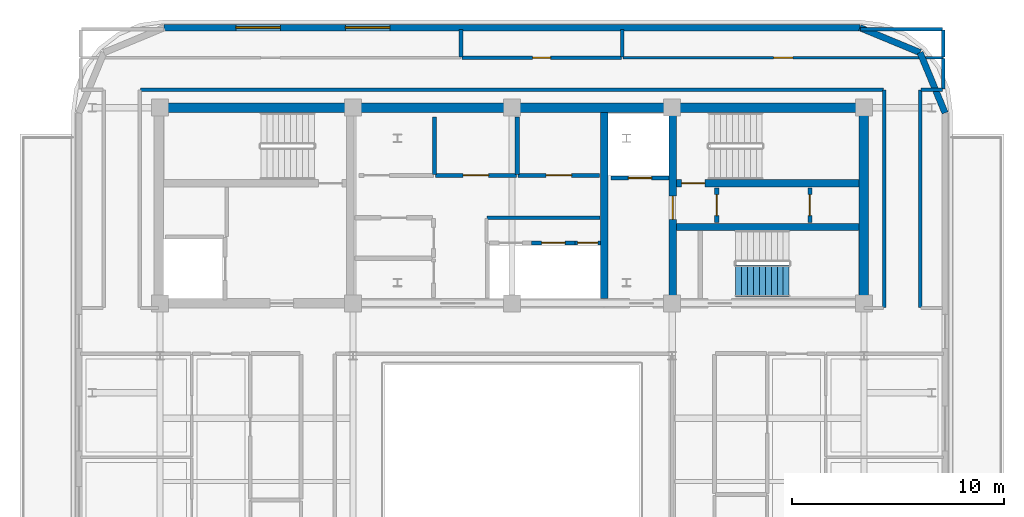
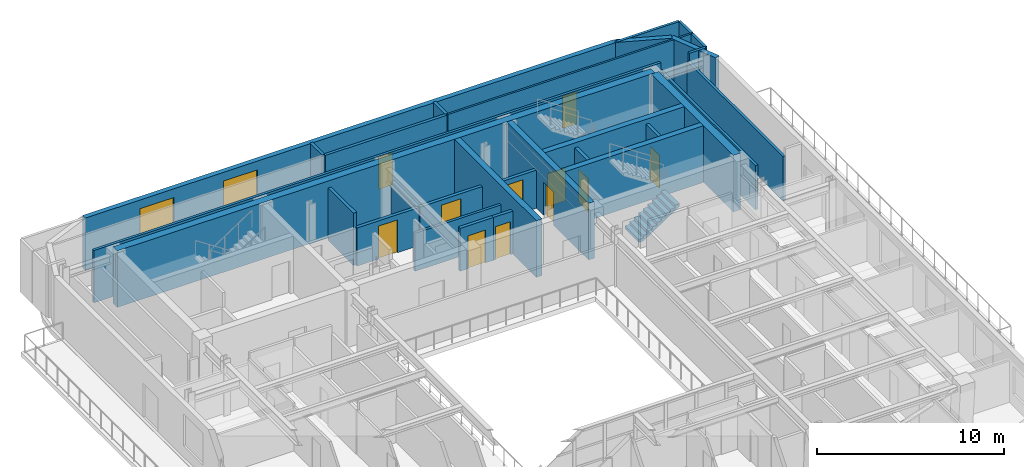
# One storey, part 10 of 14: 30 walls, 11 doors, 2 windows, 1 stair flight, 13 openings, 1 element without a shape of its own.
"""IFC4 building model written with IfcOpenShell, lengths in metres."""

from ifc_helpers import new_model, si_unit, direction, frame, frame_2d, origin, place, context, subcontext, project, spatial, polyline, rectangle, outline, extrude, material, layer, layer_set, type_object, element, fill, aggregate, save


model = new_model("IFC4")

# Units and contexts
model_context = context("Model", 3, precision=1e-05, world=origin(), true_north=direction((0.0, 1.0)))
body_context = subcontext(model_context, "Body", "Model", "MODEL_VIEW")
ifc_project = project(units=[si_unit("LENGTHUNIT", "METRE"), si_unit("AREAUNIT", "SQUARE_METRE"), si_unit("VOLUMEUNIT", "CUBIC_METRE"), si_unit("PLANEANGLEUNIT", "RADIAN"), si_unit("MASSUNIT", "GRAM", prefix="KILO")], contexts=[model_context])

# Site, building, storey
site_placement = place(None, origin())
site = spatial("IfcSite", under=ifc_project, at=site_placement, CompositionType="ELEMENT")
building_placement = place(site_placement, origin())
building = spatial("IfcBuilding", under=site, at=building_placement, Name="Zarnavel Station Tower", CompositionType="ELEMENT")
storey_placement = place(building_placement, frame((0.0, 0.0, 243.60009765625)))
storey = spatial("IfcBuildingStorey", under=building, at=storey_placement, Name="L66", CompositionType="ELEMENT", Elevation=243.60009765625)

# Wall
ifc_material_1 = material(Name="Concrete C50/60", Category="concrete")
ifc_layer_1 = layer(ifc_material_1, 0.35009765625)
ifc_layer_set_1 = layer_set([ifc_layer_1], Name="CW_350")
wall_type_1 = type_object("IfcWallType", Name="CW_350", PredefinedType="SHEAR", material=ifc_layer_set_1)
wall_1_placement = place(storey_placement, frame((33.14990234375, 28.044921875, 0.0), z_axis=(0.0, 0.0, 1.0), x_axis=(0.0, 1.0, 0.0)))
element("IfcWall", 1, at=wall_1_placement, inside=storey, type_object=wall_type_1, Name="L66 Rear Core Shear Wall DIV-E", PredefinedType="SHEAR", context=body_context, shape_type="SweptSolid", body=[
    extrude(rectangle(XDim=8.780029296875, YDim=0.35009765625, at=frame_2d((4.39013671875, 0.0))), origin(), (0.0, 0.0, 1.0), 3.699951171875),
])

# Wall, opening, door
wall_2_placement = place(storey_placement, frame((36.3798828125, 28.044921875, 0.0), z_axis=(0.0, 0.0, 1.0), x_axis=(0.0, 1.0, 0.0)))
wall_2 = element("IfcWall", 2, at=wall_2_placement, inside=storey, type_object=wall_type_1, Name="L66 Rear Core Shear Wall DIV-S2", PredefinedType="SHEAR", context=body_context, shape_type="SweptSolid", body=[
    extrude(rectangle(XDim=8.780029296875, YDim=0.35009765625, at=frame_2d((4.39013671875, 0.0))), origin(), (0.0, 0.0, 1.0), 3.699951171875),
])
opening_1_placement = place(wall_2_placement, frame((3.735107421875, 0.0, 0.0)))
opening_1 = element("IfcOpeningElement", 3, at=opening_1_placement, cuts=wall_2, Name="Opening FD01", PredefinedType="OPENING", context=body_context, shape_type="SweptSolid", body=[
    extrude(rectangle(XDim=1.10009765625, YDim=2.14990234375, at=frame_2d((0.550048828125, 1.074951171875))), frame((0.0, 0.18505859375, 0.0), z_axis=(0.0, -1.0, 0.0), x_axis=(1.0, 0.0, 0.0)), (0.0, 0.0, 1.0), 0.3701171875),
])
ifc_material_2 = material(Name="Painted Galvanised Steel and Hardwood Leaf", Category="steel")
door_type_1 = type_object("IfcDoorType", Name="ID_STAIR_1100", OperationType="NOTDEFINED", PredefinedType="DOOR", material=ifc_material_2)
door_1_placement = place(opening_1_placement, origin())
door_1 = element("IfcDoor", 4, at=door_1_placement, inside=storey, type_object=door_type_1, Name="L66 East Stair Vestibule Fire Door", OperationType="SINGLE_SWING_LEFT", OverallHeight=2.14990234375, OverallWidth=1.10009765625, PredefinedType="DOOR", context=body_context, shape_type="SweptSolid", body=[
    extrude(rectangle(XDim=1.10009765625, YDim=2.14990234375, at=frame_2d((0.550048828125, 1.074951171875))), frame((0.0, 0.02490234375, 0.0), z_axis=(0.0, -1.0, 0.0), x_axis=(1.0, 0.0, 0.0)), (0.0, 0.0, 1.0), 0.050048828125),
])
fill(opening_1, door_1)

wall_3_placement = place(storey_placement, frame((45.155029296875, 33.47998046875, 0.0), z_axis=(0.0, 0.0, 1.0), x_axis=(-1.0, 0.0, 0.0)))
wall_3 = element("IfcWall", 5, at=wall_3_placement, inside=storey, type_object=wall_type_1, Name="L66 Rear Core Shear Wall DIV-H2", PredefinedType="SHEAR", context=body_context, shape_type="SweptSolid", body=[
    extrude(rectangle(XDim=8.60009765625, YDim=0.35009765625, at=frame_2d((4.300048828125, 0.0))), origin(), (0.0, 0.0, 1.0), 3.699951171875),
])
opening_2_placement = place(wall_3_placement, frame((7.2548828125, 0.0, 0.0)))
opening_2 = element("IfcOpeningElement", 6, at=opening_2_placement, cuts=wall_3, Name="Opening FD01", PredefinedType="OPENING", context=body_context, shape_type="SweptSolid", body=[
    extrude(rectangle(XDim=1.10009765625, YDim=2.14990234375, at=frame_2d((0.550048828125, 1.074951171875))), frame((0.0, 0.18505859375, 0.0), z_axis=(0.0, -1.0, 0.0), x_axis=(1.0, 0.0, 0.0)), (0.0, 0.0, 1.0), 0.3701171875),
])
door_2_placement = place(opening_2_placement, origin())
door_2 = element("IfcDoor", 7, at=door_2_placement, inside=storey, type_object=door_type_1, Name="L66 Stair ST2 Lobby Fire Door", OperationType="SINGLE_SWING_RIGHT", OverallHeight=2.14990234375, OverallWidth=1.10009765625, PredefinedType="DOOR", context=body_context, shape_type="SweptSolid", body=[
    extrude(rectangle(XDim=1.10009765625, YDim=2.14990234375, at=frame_2d((0.550048828125, 1.074951171875))), frame((0.0, 0.02490234375, 0.0), z_axis=(0.0, -1.0, 0.0), x_axis=(1.0, 0.0, 0.0)), (0.0, 0.0, 1.0), 0.050048828125),
])
fill(opening_2, door_2)

# Walls
wall_4_placement = place(storey_placement, frame((36.554931640625, 31.419921875, 0.0), z_axis=(0.0, 0.0, 1.0), x_axis=(1.0, 0.0, 0.0)))
element("IfcWall", 8, at=wall_4_placement, inside=storey, type_object=wall_type_1, Name="L66 Rear Core Shear Wall DIV-H3", PredefinedType="SHEAR", context=body_context, shape_type="SweptSolid", body=[
    extrude(rectangle(XDim=8.60009765625, YDim=0.35009765625, at=frame_2d((4.300048828125, 0.0))), origin(), (0.0, 0.0, 1.0), 3.699951171875),
])
ifc_material_3 = material(Name="Concrete C50/60", Category="concrete")
ifc_layer_2 = layer(ifc_material_3, 0.449951171875)
ifc_layer_set_2 = layer_set([ifc_layer_2], Name="CW_450")
wall_type_2 = type_object("IfcWallType", Name="CW_450", PredefinedType="SHEAR", material=ifc_layer_set_2)
wall_5_placement = place(storey_placement, frame((12.14990234375, 37.050048828125, 0.0), z_axis=(0.0, 0.0, 1.0), x_axis=(1.0, 0.0, 0.0)))
element("IfcWall", 9, at=wall_5_placement, inside=storey, type_object=wall_type_2, Name="L66 Rear Core Shear Wall N", PredefinedType="SHEAR", context=body_context, shape_type="SweptSolid", body=[
    extrude(rectangle(XDim=33.22998046875, YDim=0.449951171875, at=frame_2d((16.614990234375, 0.0))), origin(), (0.0, 0.0, 1.0), 3.699951171875),
])
wall_6_placement = place(storey_placement, frame((45.3798828125, 28.044921875, 0.0), z_axis=(0.0, 0.0, 1.0), x_axis=(0.0, 1.0, 0.0)))
element("IfcWall", 10, at=wall_6_placement, inside=storey, type_object=wall_type_2, Name="L66 Rear Core Shear Wall E", PredefinedType="SHEAR", context=body_context, shape_type="SweptSolid", body=[
    extrude(rectangle(XDim=8.780029296875, YDim=0.449951171875, at=frame_2d((4.39013671875, 0.0))), origin(), (0.0, 0.0, 1.0), 3.699951171875),
])
ifc_material_4 = material(Name="Precast concrete C45/55 (Dark Basalt Finish)", Category="masonry")
ifc_layer_3 = layer(ifc_material_4, 0.300048828125)
ifc_layer_set_3 = layer_set([ifc_layer_3], Name="EW_BASALT_300")
wall_type_3 = type_object("IfcWallType", Name="EW_BASALT_300", PredefinedType="SOLIDWALL", material=ifc_layer_set_3)
for number, where, z_axis, x_axis, name in (
    (11, (48.04248046875, 39.642578125, 0.0), (0.0, 0.0, 1.0), (0.382704529509, -0.923870793506, 0.0), "L66 Exterior Basalt Masonry Frame Wall 04"),
    (12, (45.199951171875, 40.820068359375, 0.0), (0.0, 0.0, 1.0), (0.923870793506, -0.382704529509, 0.0), "L66 Exterior Basalt Masonry Frame Wall 05"),
):
    element("IfcWall", number, at=place(storey_placement, frame(where, z_axis=z_axis, x_axis=x_axis)), inside=storey, type_object=wall_type_3, Name=name, PredefinedType="SOLIDWALL", context=body_context, shape_type="SweptSolid", body=[
        extrude(rectangle(XDim=3.07666015625, YDim=0.300048828125, at=frame_2d((1.538330078125, 0.0))), origin(), (0.0, 0.0, 1.0), 3.419921875),
    ])

# Wall, openings, windows
wall_7_placement = place(storey_placement, frame((12.39990234375, 40.820068359375, 0.0), z_axis=(0.0, 0.0, 1.0), x_axis=(1.0, 0.0, 0.0)))
wall_7 = element("IfcWall", 13, at=wall_7_placement, inside=storey, type_object=wall_type_3, Name="L66 Exterior Basalt Masonry Frame Wall 06", PredefinedType="SOLIDWALL", context=body_context, shape_type="SweptSolid", body=[
    extrude(rectangle(XDim=32.800048828125, YDim=0.300048828125, at=frame_2d((16.39990234375, 0.0))), origin(), (0.0, 0.0, 1.0), 3.419921875),
])
opening_3_placement = place(wall_7_placement, frame((3.3798828125, 0.0, 0.75)))
opening_3 = element("IfcOpeningElement", 14, at=opening_3_placement, cuts=wall_7, Name="Opening WN05", PredefinedType="OPENING", context=body_context, shape_type="SweptSolid", body=[
    extrude(rectangle(XDim=2.10009765625, YDim=2.10009765625, at=frame_2d((1.050048828125, 1.050048828125))), frame((0.0, 0.159912109375, 0.0), z_axis=(0.0, -1.0, 0.0), x_axis=(1.0, 0.0, 0.0)), (0.0, 0.0, 1.0), 0.320068359375),
])
opening_4_placement = place(wall_7_placement, frame((8.5400390625, 0.0, 0.75)))
opening_4 = element("IfcOpeningElement", 15, at=opening_4_placement, cuts=wall_7, Name="Opening WN05", PredefinedType="OPENING", context=body_context, shape_type="SweptSolid", body=[
    extrude(rectangle(XDim=2.10009765625, YDim=2.10009765625, at=frame_2d((1.050048828125, 1.050048828125))), frame((0.0, 0.159912109375, 0.0), z_axis=(0.0, -1.0, 0.0), x_axis=(1.0, 0.0, 0.0)), (0.0, 0.0, 1.0), 0.320068359375),
])
ifc_material_5 = material(Name="Thermally Broken Black Aluminium and Low-E Dark Glass", Category="aluminium")
window_type = type_object("IfcWindowType", Name="WN_2100x2100", PartitioningType="TRIPLE_PANEL_VERTICAL", PredefinedType="WINDOW", material=ifc_material_5)
window_1_placement = place(opening_3_placement, origin())
window_1 = element("IfcWindow", 16, at=window_1_placement, inside=storey, type_object=window_type, Name="L66 Recessed Facade Window 01", OverallHeight=2.10009765625, OverallWidth=2.10009765625, PartitioningType="SINGLE_PANEL", PredefinedType="WINDOW", context=body_context, shape_type="SweptSolid", body=[
    extrude(rectangle(XDim=2.10009765625, YDim=2.10009765625, at=frame_2d((1.050048828125, 1.050048828125))), frame((0.0, 0.030029296875, 0.0), z_axis=(0.0, -1.0, 0.0), x_axis=(1.0, 0.0, 0.0)), (0.0, 0.0, 1.0), 0.06005859375),
])
fill(opening_3, window_1)
window_2_placement = place(opening_4_placement, origin())
window_2 = element("IfcWindow", 17, at=window_2_placement, inside=storey, type_object=window_type, Name="L66 Recessed Facade Window 02", OverallHeight=2.10009765625, OverallWidth=2.10009765625, PartitioningType="SINGLE_PANEL", PredefinedType="WINDOW", context=body_context, shape_type="SweptSolid", body=[
    extrude(rectangle(XDim=2.10009765625, YDim=2.10009765625, at=frame_2d((1.050048828125, 1.050048828125))), frame((0.0, 0.030029296875, 0.0), z_axis=(0.0, -1.0, 0.0), x_axis=(1.0, 0.0, 0.0)), (0.0, 0.0, 1.0), 0.06005859375),
])
fill(opening_4, window_2)

# Walls
ifc_material_6 = material(Name="Gypsum Twin-Stud Acoustic Fire Partition", Category="concrete")
ifc_layer_4 = layer(ifc_material_6, 0.159912109375)
ifc_layer_set_4 = layer_set([ifc_layer_4], Name="PT_DEMISE_160")
wall_type_4 = type_object("IfcWallType", Name="PT_DEMISE_160", PredefinedType="PARTITIONING", material=ifc_layer_set_4)
wall_8_placement = place(storey_placement, frame((27.6298828125, 31.85009765625, 0.0), z_axis=(0.0, 0.0, 1.0), x_axis=(1.0, 0.0, 0.0)))
element("IfcWall", 18, at=wall_8_placement, inside=storey, type_object=wall_type_4, Name="L66 Enclosure Wall LLOB", PredefinedType="PARTITIONING", context=body_context, shape_type="SweptSolid", body=[
    extrude(rectangle(XDim=5.31005859375, YDim=0.159912109375, at=frame_2d((2.655029296875, 0.0))), origin(), (0.0, 0.0, 1.0), 2.489990234375),
])
for number, where, z_axis, x_axis, name in (
    (19, (46.35009765625, 27.6298828125, 0.0), (0.0, 0.0, 1.0), (0.0, 1.0, 0.0), "L66 Enclosure Wall COR-E"),
    (20, (48.050048828125, 27.6298828125, 0.0), (0.0, 0.0, 1.0), (0.0, 1.0, 0.0), "L66 Enclosure Wall COR-E"),
):
    element("IfcWall", number, at=place(storey_placement, frame(where, z_axis=z_axis, x_axis=x_axis)), inside=storey, type_object=wall_type_4, Name=name, PredefinedType="PARTITIONING", context=body_context, shape_type="SweptSolid", body=[
        extrude(rectangle(XDim=10.240234375, YDim=0.159912109375, at=frame_2d((5.1201171875, 0.0))), origin(), (0.0, 0.0, 1.0), 2.89990234375),
    ])
wall_9_placement = place(storey_placement, frame((11.280029296875, 37.89990234375, 0.0), z_axis=(0.0, 0.0, 1.0), x_axis=(1.0, 0.0, 0.0)))
element("IfcWall", 21, at=wall_9_placement, inside=storey, type_object=wall_type_4, Name="L66 Enclosure Wall COR-N", PredefinedType="PARTITIONING", context=body_context, shape_type="SweptSolid", body=[
    extrude(rectangle(XDim=35.0400390625, YDim=0.159912109375, at=frame_2d((17.52001953125, 0.0))), origin(), (0.0, 0.0, 1.0), 3.419921875),
])
wall_10_placement = place(storey_placement, frame((48.080078125, 37.89990234375, 0.0), z_axis=(0.0, 0.0, 1.0), x_axis=(1.0, 0.0, 0.0)))
element("IfcWall", 22, at=wall_10_placement, inside=storey, type_object=wall_type_4, Name="L66 Enclosure Wall COR-N", PredefinedType="PARTITIONING", context=body_context, shape_type="SweptSolid", body=[
    extrude(rectangle(XDim=1.030029296875, YDim=0.159912109375, at=frame_2d((0.51513671875, 0.0))), origin(), (0.0, 0.0, 1.0), 3.419921875),
])
wall_11_placement = place(storey_placement, frame((49.139892578125, 37.929931640625, 0.0), z_axis=(0.0, 0.0, 1.0), x_axis=(0.0, 1.0, 0.0)))
element("IfcWall", 23, at=wall_11_placement, inside=storey, type_object=wall_type_4, Name="L66 Enclosure Wall COR-N", PredefinedType="PARTITIONING", context=body_context, shape_type="SweptSolid", body=[
    extrude(rectangle(XDim=1.440185546875, YDim=0.159912109375, at=frame_2d((0.72021484375, 0.0))), origin(), (0.0, 0.0, 1.0), 3.419921875),
])
wall_12_placement = place(storey_placement, frame((45.22998046875, 40.739990234375, 0.0), z_axis=(0.0, 0.0, 1.0), x_axis=(1.0, 0.0, 0.0)))
element("IfcWall", 24, at=wall_12_placement, inside=storey, type_object=wall_type_4, Name="L66 Enclosure Wall NSTR", PredefinedType="PARTITIONING", context=body_context, shape_type="SweptSolid", body=[
    extrude(rectangle(XDim=3.880126953125, YDim=0.159912109375, at=frame_2d((1.93994140625, 0.0))), origin(), (0.0, 0.0, 1.0), 3.419921875),
])
wall_13_placement = place(storey_placement, frame((49.139892578125, 39.429931640625, 0.0), z_axis=(0.0, 0.0, 1.0), x_axis=(0.0, 1.0, 0.0)))
element("IfcWall", 25, at=wall_13_placement, inside=storey, type_object=wall_type_4, Name="L66 Enclosure Wall NSTR", PredefinedType="PARTITIONING", context=body_context, shape_type="SweptSolid", body=[
    extrude(rectangle(XDim=1.280029296875, YDim=0.159912109375, at=frame_2d((0.64013671875, 0.0))), origin(), (0.0, 0.0, 1.0), 3.419921875),
])

# Wall, opening, door
ifc_material_7 = material(Name="Gypsum Metal-Stud Interior Partition", Category="concrete")
ifc_layer_5 = layer(ifc_material_7, 0.1201171875)
ifc_layer_set_5 = layer_set([ifc_layer_5], Name="PT_ROOM_120")
wall_type_5 = type_object("IfcWallType", Name="PT_ROOM_120", PredefinedType="PARTITIONING", material=ifc_layer_set_5)
wall_14_placement = place(storey_placement, frame((34.0400390625, 39.39990234375, 0.0), z_axis=(0.0, 0.0, 1.0), x_axis=(1.0, 0.0, 0.0)))
wall_14 = element("IfcWall", 26, at=wall_14_placement, inside=storey, type_object=wall_type_5, Name="L66 Partition COR-N-NSTR", PredefinedType="PARTITIONING", context=body_context, shape_type="SweptSolid", body=[
    extrude(rectangle(XDim=15.099853515625, YDim=0.1201171875, at=frame_2d((7.5498046875, 0.0))), origin(), (0.0, 0.0, 1.0), 3.419921875),
])
opening_5_placement = place(wall_14_placement, frame((7.10009765625, 0.0, 0.0)))
opening_5 = element("IfcOpeningElement", 27, at=opening_5_placement, cuts=wall_14, Name="Opening ID01", PredefinedType="OPENING", context=body_context, shape_type="SweptSolid", body=[
    extrude(rectangle(XDim=0.89990234375, YDim=2.10009765625, at=frame_2d((0.449951171875, 1.050048828125))), frame((0.0, 0.070068359375, 0.0), z_axis=(0.0, -1.0, 0.0), x_axis=(1.0, 0.0, 0.0)), (0.0, 0.0, 1.0), 0.14013671875),
])
ifc_material_8 = material(Name="Painted Galvanised Steel and Hardwood Leaf", Category="steel")
door_type_2 = type_object("IfcDoorType", Name="ID_ROOM_900", OperationType="NOTDEFINED", PredefinedType="DOOR", material=ifc_material_8)
door_3_placement = place(opening_5_placement, origin())
door_3 = element("IfcDoor", 28, at=door_3_placement, inside=storey, type_object=door_type_2, Name="L66 Door COR-N-NSTR", OperationType="SINGLE_SWING_LEFT", OverallHeight=2.10009765625, OverallWidth=0.89990234375, PredefinedType="DOOR", context=body_context, shape_type="SweptSolid", body=[
    extrude(rectangle(XDim=0.89990234375, YDim=2.10009765625, at=frame_2d((0.449951171875, 1.050048828125))), frame((0.0, 0.02490234375, 0.0), z_axis=(0.0, -1.0, 0.0), x_axis=(1.0, 0.0, 0.0)), (0.0, 0.0, 1.0), 0.050048828125),
])
fill(opening_5, door_3)

ifc_material_9 = material(Name="Precast concrete C45/55 (Fire Shaft Blockwork)", Category="masonry")
ifc_layer_6 = layer(ifc_material_9, 0.199951171875)
ifc_layer_set_6 = layer_set([ifc_layer_6], Name="PT_SHAFT_200")
wall_type_6 = type_object("IfcWallType", Name="PT_SHAFT_200", PredefinedType="PARTITIONING", material=ifc_layer_set_6)
wall_15_placement = place(storey_placement, frame((33.47509765625, 33.72998046875, 0.0), z_axis=(0.0, 0.0, 1.0), x_axis=(1.0, 0.0, 0.0)))
wall_15 = element("IfcWall", 29, at=wall_15_placement, inside=storey, type_object=wall_type_6, Name="L66 Lift FFL-02 Shaft Front Wall", PredefinedType="PARTITIONING", context=body_context, shape_type="SweptSolid", body=[
    extrude(rectangle(XDim=2.724853515625, YDim=0.199951171875, at=frame_2d((1.3623046875, 0.0))), origin(), (0.0, 0.0, 1.0), 2.489990234375),
])
opening_6_placement = place(wall_15_placement, frame((0.8125, 0.0, 0.0)))
opening_6 = element("IfcOpeningElement", 30, at=opening_6_placement, cuts=wall_15, Name="Opening LD01", PredefinedType="OPENING", context=body_context, shape_type="SweptSolid", body=[
    extrude(rectangle(XDim=1.10009765625, YDim=2.14990234375, at=frame_2d((0.550048828125, 1.074951171875))), frame((0.0, 0.10986328125, 0.0), z_axis=(0.0, -1.0, 0.0), x_axis=(1.0, 0.0, 0.0)), (0.0, 0.0, 1.0), 0.219970703125),
])
ifc_material_10 = material(Name="Painted Galvanised Steel and Hardwood Leaf", Category="steel")
door_type_3 = type_object("IfcDoorType", Name="LD_FF_1100", OperationType="DOUBLE_DOOR_SLIDING", PredefinedType="DOOR", material=ifc_material_10)
door_4_placement = place(opening_6_placement, origin())
door_4 = element("IfcDoor", 31, at=door_4_placement, inside=storey, type_object=door_type_3, Name="L66 Lift FFL-02 Sliding Landing Door", OperationType="DOUBLE_DOOR_SLIDING", OverallHeight=2.14990234375, OverallWidth=1.10009765625, PredefinedType="DOOR", context=body_context, shape_type="SweptSolid", body=[
    extrude(rectangle(XDim=1.10009765625, YDim=2.14990234375, at=frame_2d((0.550048828125, 1.074951171875))), frame((0.0, 0.02490234375, 0.0), z_axis=(0.0, -1.0, 0.0), x_axis=(1.0, 0.0, 0.0)), (0.0, 0.0, 1.0), 0.050048828125),
])
fill(opening_6, door_4)

wall_16_placement = place(storey_placement, frame((29.72509765625, 30.669921875, 0.0), z_axis=(0.0, 0.0, 1.0), x_axis=(1.0, 0.0, 0.0)))
wall_16 = element("IfcWall", 32, at=wall_16_placement, inside=storey, type_object=wall_type_6, Name="L66 Lift PL-H2 Shaft Front Wall", PredefinedType="PARTITIONING", context=body_context, shape_type="SweptSolid", body=[
    extrude(rectangle(XDim=2.0498046875, YDim=0.199951171875, at=frame_2d((1.02490234375, 0.0))), origin(), (0.0, 0.0, 1.0), 2.7998046875),
])
opening_7_placement = place(wall_16_placement, frame((0.47509765625, 0.0, 0.0)))
opening_7 = element("IfcOpeningElement", 33, at=opening_7_placement, cuts=wall_16, Name="Opening LD02", PredefinedType="OPENING", context=body_context, shape_type="SweptSolid", body=[
    extrude(rectangle(XDim=1.10009765625, YDim=2.14990234375, at=frame_2d((0.550048828125, 1.074951171875))), frame((0.0, 0.10986328125, 0.0), z_axis=(0.0, -1.0, 0.0), x_axis=(1.0, 0.0, 0.0)), (0.0, 0.0, 1.0), 0.219970703125),
])
ifc_material_11 = material(Name="Painted Galvanised Steel and Hardwood Leaf", Category="steel")
door_type_4 = type_object("IfcDoorType", Name="LD_PAX_1100", OperationType="DOUBLE_DOOR_SLIDING", PredefinedType="DOOR", material=ifc_material_11)
door_5_placement = place(opening_7_placement, origin())
door_5 = element("IfcDoor", 34, at=door_5_placement, inside=storey, type_object=door_type_4, Name="L66 Lift PL-H2 Sliding Landing Door", OperationType="DOUBLE_DOOR_SLIDING", OverallHeight=2.14990234375, OverallWidth=1.10009765625, PredefinedType="DOOR", context=body_context, shape_type="SweptSolid", body=[
    extrude(rectangle(XDim=1.10009765625, YDim=2.14990234375, at=frame_2d((0.550048828125, 1.074951171875))), frame((0.0, 0.02490234375, 0.0), z_axis=(0.0, -1.0, 0.0), x_axis=(1.0, 0.0, 0.0)), (0.0, 0.0, 1.0), 0.050048828125),
])
fill(opening_7, door_5)

wall_17_placement = place(storey_placement, frame((31.77490234375, 30.669921875, 0.0), z_axis=(0.0, 0.0, 1.0), x_axis=(1.0, 0.0, 0.0)))
wall_17 = element("IfcWall", 35, at=wall_17_placement, inside=storey, type_object=wall_type_6, Name="L66 Lift PL-H3 Shaft Front Wall", PredefinedType="PARTITIONING", context=body_context, shape_type="SweptSolid", body=[
    extrude(rectangle(XDim=1.2001953125, YDim=0.199951171875, at=frame_2d((0.60009765625, 0.0))), origin(), (0.0, 0.0, 1.0), 2.7998046875),
])
opening_8_placement = place(wall_17_placement, frame((0.125, 0.0, 0.0)))
opening_8 = element("IfcOpeningElement", 36, at=opening_8_placement, cuts=wall_17, Name="Opening LD03", PredefinedType="OPENING", context=body_context, shape_type="SweptSolid", body=[
    extrude(rectangle(XDim=0.949951171875, YDim=2.14990234375, at=frame_2d((0.47509765625, 1.074951171875))), frame((0.0, 0.10986328125, 0.0), z_axis=(0.0, -1.0, 0.0), x_axis=(1.0, 0.0, 0.0)), (0.0, 0.0, 1.0), 0.219970703125),
])
ifc_material_12 = material(Name="Painted Galvanised Steel and Hardwood Leaf", Category="steel")
door_type_5 = type_object("IfcDoorType", Name="LD_PAX_0950", OperationType="DOUBLE_DOOR_SLIDING", PredefinedType="DOOR", material=ifc_material_12)
door_6_placement = place(opening_8_placement, origin())
door_6 = element("IfcDoor", 37, at=door_6_placement, inside=storey, type_object=door_type_5, Name="L66 Lift PL-H3 Sliding Landing Door", OperationType="DOUBLE_DOOR_SLIDING", OverallHeight=2.14990234375, OverallWidth=0.949951171875, PredefinedType="DOOR", context=body_context, shape_type="SweptSolid", body=[
    extrude(rectangle(XDim=0.949951171875, YDim=2.14990234375, at=frame_2d((0.47509765625, 1.074951171875))), frame((0.0, 0.02490234375, 0.0), z_axis=(0.0, -1.0, 0.0), x_axis=(1.0, 0.0, 0.0)), (0.0, 0.0, 1.0), 0.050048828125),
])
fill(opening_8, door_6)

wall_18_placement = place(storey_placement, frame((38.449951171875, 31.639892578125, 0.0), z_axis=(0.0, 0.0, 1.0), x_axis=(0.0, 1.0, 0.0)))
wall_18 = element("IfcWall", 38, at=wall_18_placement, inside=storey, type_object=wall_type_6, Name="L66 Partition ESTV-CEA", PredefinedType="PARTITIONING", context=body_context, shape_type="SweptSolid", body=[
    extrude(rectangle(XDim=1.6201171875, YDim=0.199951171875, at=frame_2d((0.81005859375, 0.0))), origin(), (0.0, 0.0, 1.0), 3.419921875),
])
opening_9_placement = place(wall_18_placement, frame((0.31005859375, 0.0, 0.0)))
opening_9 = element("IfcOpeningElement", 39, at=opening_9_placement, cuts=wall_18, Name="Opening FD02", PredefinedType="OPENING", context=body_context, shape_type="SweptSolid", body=[
    extrude(rectangle(XDim=1.0, YDim=2.14990234375, at=frame_2d((0.5, 1.074951171875))), frame((0.0, 0.10986328125, 0.0), z_axis=(0.0, -1.0, 0.0), x_axis=(1.0, 0.0, 0.0)), (0.0, 0.0, 1.0), 0.219970703125),
])
ifc_material_13 = material(Name="Painted Galvanised Steel and Hardwood Leaf", Category="steel")
door_type_6 = type_object("IfcDoorType", Name="ID_ENTRY_1000", OperationType="NOTDEFINED", PredefinedType="DOOR", material=ifc_material_13)
door_7_placement = place(opening_9_placement, origin())
door_7 = element("IfcDoor", 40, at=door_7_placement, inside=storey, type_object=door_type_6, Name="L66 Door ESTV-CEA", OperationType="SINGLE_SWING_LEFT", OverallHeight=2.14990234375, OverallWidth=1.0, PredefinedType="DOOR", context=body_context, shape_type="SweptSolid", body=[
    extrude(rectangle(XDim=1.0, YDim=2.14990234375, at=frame_2d((0.5, 1.074951171875))), frame((0.0, 0.02490234375, 0.0), z_axis=(0.0, -1.0, 0.0), x_axis=(1.0, 0.0, 0.0)), (0.0, 0.0, 1.0), 0.050048828125),
])
fill(opening_9, door_7)

wall_19_placement = place(storey_placement, frame((42.85009765625, 31.639892578125, 0.0), z_axis=(0.0, 0.0, 1.0), x_axis=(0.0, 1.0, 0.0)))
wall_19 = element("IfcWall", 41, at=wall_19_placement, inside=storey, type_object=wall_type_6, Name="L66 Partition CEA-CEB", PredefinedType="PARTITIONING", context=body_context, shape_type="SweptSolid", body=[
    extrude(rectangle(XDim=1.6201171875, YDim=0.199951171875, at=frame_2d((0.81005859375, 0.0))), origin(), (0.0, 0.0, 1.0), 3.419921875),
])
opening_10_placement = place(wall_19_placement, frame((0.31005859375, 0.0, 0.0)))
opening_10 = element("IfcOpeningElement", 42, at=opening_10_placement, cuts=wall_19, Name="Opening FD02", PredefinedType="OPENING", context=body_context, shape_type="SweptSolid", body=[
    extrude(rectangle(XDim=1.0, YDim=2.14990234375, at=frame_2d((0.5, 1.074951171875))), frame((0.0, 0.10986328125, 0.0), z_axis=(0.0, -1.0, 0.0), x_axis=(1.0, 0.0, 0.0)), (0.0, 0.0, 1.0), 0.219970703125),
])
door_8_placement = place(opening_10_placement, origin())
door_8 = element("IfcDoor", 43, at=door_8_placement, inside=storey, type_object=door_type_6, Name="L66 Door CEA-CEB", OperationType="SINGLE_SWING_RIGHT", OverallHeight=2.14990234375, OverallWidth=1.0, PredefinedType="DOOR", context=body_context, shape_type="SweptSolid", body=[
    extrude(rectangle(XDim=1.0, YDim=2.14990234375, at=frame_2d((0.5, 1.074951171875))), frame((0.0, 0.02490234375, 0.0), z_axis=(0.0, -1.0, 0.0), x_axis=(1.0, 0.0, 0.0)), (0.0, 0.0, 1.0), 0.050048828125),
])
fill(opening_10, door_8)

wall_20_placement = place(storey_placement, frame((25.18994140625, 33.85009765625, 0.0), z_axis=(0.0, 0.0, 1.0), x_axis=(1.0, 0.0, 0.0)))
wall_20 = element("IfcWall", 44, at=wall_20_placement, inside=storey, type_object=wall_type_6, Name="L66 Partition LLOB-FB2B", PredefinedType="PARTITIONING", context=body_context, shape_type="SweptSolid", body=[
    extrude(rectangle(XDim=3.820068359375, YDim=0.199951171875, at=frame_2d((1.91015625, 0.0))), origin(), (0.0, 0.0, 1.0), 2.489990234375),
])
opening_11_placement = place(wall_20_placement, frame((1.31005859375, 0.0, 0.0)))
opening_11 = element("IfcOpeningElement", 45, at=opening_11_placement, cuts=wall_20, Name="Opening FD03", PredefinedType="OPENING", context=body_context, shape_type="SweptSolid", body=[
    extrude(rectangle(XDim=1.199951171875, YDim=2.14990234375, at=frame_2d((0.60009765625, 1.074951171875))), frame((0.0, 0.10986328125, 0.0), z_axis=(0.0, -1.0, 0.0), x_axis=(1.0, 0.0, 0.0)), (0.0, 0.0, 1.0), 0.219970703125),
])
ifc_material_14 = material(Name="Painted Galvanised Steel and Hardwood Leaf", Category="steel")
door_type_7 = type_object("IfcDoorType", Name="ID_PLANT_1200", OperationType="NOTDEFINED", PredefinedType="DOOR", material=ifc_material_14)
door_9_placement = place(opening_11_placement, origin())
door_9 = element("IfcDoor", 46, at=door_9_placement, inside=storey, type_object=door_type_7, Name="L66 Door LLOB-FB2B", OperationType="SINGLE_SWING_LEFT", OverallHeight=2.14990234375, OverallWidth=1.199951171875, PredefinedType="DOOR", context=body_context, shape_type="SweptSolid", body=[
    extrude(rectangle(XDim=1.199951171875, YDim=2.14990234375, at=frame_2d((0.60009765625, 1.074951171875))), frame((0.0, 0.02490234375, 0.0), z_axis=(0.0, -1.0, 0.0), x_axis=(1.0, 0.0, 0.0)), (0.0, 0.0, 1.0), 0.050048828125),
])
fill(opening_11, door_9)

wall_21_placement = place(storey_placement, frame((29.090087890625, 33.85009765625, 0.0), z_axis=(0.0, 0.0, 1.0), x_axis=(1.0, 0.0, 0.0)))
wall_21 = element("IfcWall", 47, at=wall_21_placement, inside=storey, type_object=wall_type_6, Name="L66 Partition LLOB-FB2C", PredefinedType="PARTITIONING", context=body_context, shape_type="SweptSolid", body=[
    extrude(rectangle(XDim=3.83984375, YDim=0.199951171875, at=frame_2d((1.919921875, 0.0))), origin(), (0.0, 0.0, 1.0), 2.489990234375),
])
opening_12_placement = place(wall_21_placement, frame((1.320068359375, 0.0, 0.0)))
opening_12 = element("IfcOpeningElement", 48, at=opening_12_placement, cuts=wall_21, Name="Opening FD03", PredefinedType="OPENING", context=body_context, shape_type="SweptSolid", body=[
    extrude(rectangle(XDim=1.199951171875, YDim=2.14990234375, at=frame_2d((0.60009765625, 1.074951171875))), frame((0.0, 0.10986328125, 0.0), z_axis=(0.0, -1.0, 0.0), x_axis=(1.0, 0.0, 0.0)), (0.0, 0.0, 1.0), 0.219970703125),
])
door_10_placement = place(opening_12_placement, origin())
door_10 = element("IfcDoor", 49, at=door_10_placement, inside=storey, type_object=door_type_7, Name="L66 Door LLOB-FB2C", OperationType="SINGLE_SWING_RIGHT", OverallHeight=2.14990234375, OverallWidth=1.199951171875, PredefinedType="DOOR", context=body_context, shape_type="SweptSolid", body=[
    extrude(rectangle(XDim=1.199951171875, YDim=2.14990234375, at=frame_2d((0.60009765625, 1.074951171875))), frame((0.0, 0.02490234375, 0.0), z_axis=(0.0, -1.0, 0.0), x_axis=(1.0, 0.0, 0.0)), (0.0, 0.0, 1.0), 0.050048828125),
])
fill(opening_12, door_10)

# Walls
wall_22_placement = place(storey_placement, frame((25.14990234375, 33.889892578125, 0.0), z_axis=(0.0, 0.0, 1.0), x_axis=(0.0, 1.0, 0.0)))
element("IfcWall", 50, at=wall_22_placement, inside=storey, type_object=wall_type_6, Name="L66 Partition FB2A-FB2B", PredefinedType="PARTITIONING", context=body_context, shape_type="SweptSolid", body=[
    extrude(rectangle(XDim=2.72021484375, YDim=0.199951171875, at=frame_2d((1.360107421875, 0.0))), origin(), (0.0, 0.0, 1.0), 3.419921875),
])
wall_23_placement = place(storey_placement, frame((29.050048828125, 33.889892578125, 0.0), z_axis=(0.0, 0.0, 1.0), x_axis=(0.0, 1.0, 0.0)))
element("IfcWall", 51, at=wall_23_placement, inside=storey, type_object=wall_type_6, Name="L66 Partition FB2B-FB2C", PredefinedType="PARTITIONING", context=body_context, shape_type="SweptSolid", body=[
    extrude(rectangle(XDim=2.72021484375, YDim=0.199951171875, at=frame_2d((1.360107421875, 0.0))), origin(), (0.0, 0.0, 1.0), 2.489990234375),
])

# Wall, opening, door
ifc_material_15 = material(Name="Moisture-Resistant Plumbing Chase Wall", Category="concrete")
ifc_layer_7 = layer(ifc_material_15, 0.179931640625)
ifc_layer_set_7 = layer_set([ifc_layer_7], Name="PW_PLUMB_180")
wall_type_7 = type_object("IfcWallType", Name="PW_PLUMB_180", PredefinedType="PLUMBINGWALL", material=ifc_layer_set_7)
wall_24_placement = place(storey_placement, frame((26.43994140625, 39.39990234375, 0.0), z_axis=(0.0, 0.0, 1.0), x_axis=(1.0, 0.0, 0.0)))
wall_24 = element("IfcWall", 52, at=wall_24_placement, inside=storey, type_object=wall_type_7, Name="L66 Partition COR-N-NWC", PredefinedType="PLUMBINGWALL", context=body_context, shape_type="SweptSolid", body=[
    extrude(rectangle(XDim=7.52001953125, YDim=0.179931640625, at=frame_2d((3.760009765625, 0.0))), origin(), (0.0, 0.0, 1.0), 3.419921875),
])
opening_13_placement = place(wall_24_placement, frame((3.3349609375, 0.0, 0.0)))
opening_13 = element("IfcOpeningElement", 53, at=opening_13_placement, cuts=wall_24, Name="Opening ID02", PredefinedType="OPENING", context=body_context, shape_type="SweptSolid", body=[
    extrude(rectangle(XDim=0.85009765625, YDim=2.10009765625, at=frame_2d((0.425048828125, 1.050048828125))), frame((0.0, 0.099853515625, 0.0), z_axis=(0.0, -1.0, 0.0), x_axis=(1.0, 0.0, 0.0)), (0.0, 0.0, 1.0), 0.199951171875),
])
ifc_material_16 = material(Name="Painted Galvanised Steel and Hardwood Leaf", Category="steel")
door_type_8 = type_object("IfcDoorType", Name="ID_BATH_850", OperationType="NOTDEFINED", PredefinedType="DOOR", material=ifc_material_16)
door_11_placement = place(opening_13_placement, origin())
door_11 = element("IfcDoor", 54, at=door_11_placement, inside=storey, type_object=door_type_8, Name="L66 Door COR-N-NWC", OperationType="SINGLE_SWING_RIGHT", OverallHeight=2.10009765625, OverallWidth=0.85009765625, PredefinedType="DOOR", context=body_context, shape_type="SweptSolid", body=[
    extrude(rectangle(XDim=0.85009765625, YDim=2.10009765625, at=frame_2d((0.425048828125, 1.050048828125))), frame((0.0, 0.02490234375, 0.0), z_axis=(0.0, -1.0, 0.0), x_axis=(1.0, 0.0, 0.0)), (0.0, 0.0, 1.0), 0.050048828125),
])
fill(opening_13, door_11)

# Walls
for number, where, z_axis, x_axis, name in (
    (55, (26.39990234375, 39.43994140625, 0.0), (0.0, 0.0, 1.0), (0.0, 1.0, 0.0), "L66 Partition NSTD-NWC"),
    (56, (34.0, 39.43994140625, 0.0), (0.0, 0.0, 1.0), (0.0, 1.0, 0.0), "L66 Partition NWC-NSTR"),
):
    element("IfcWall", number, at=place(storey_placement, frame(where, z_axis=z_axis, x_axis=x_axis)), inside=storey, type_object=wall_type_7, Name=name, PredefinedType="PLUMBINGWALL", context=body_context, shape_type="SweptSolid", body=[
        extrude(rectangle(XDim=1.300048828125, YDim=0.179931640625, at=frame_2d((0.64990234375, 0.0))), origin(), (0.0, 0.0, 1.0), 3.419921875),
    ])

# Stair, stair flight
ifc_material_17 = material(Name="Concrete C45/55", Category="concrete")
stair_type = type_object("IfcStairType", Name="ST_CORE_150", PredefinedType="HALF_TURN_STAIR", material=ifc_material_17)
stair_placement = place(storey_placement, origin())
stair = element("IfcStair", 57, at=stair_placement, inside=storey, type_object=stair_type, Name="L66 Core Exit Stair ST3", PredefinedType="HALF_TURN_STAIR")
ifc_material_18 = material(Name="Concrete C45/55", Category="concrete")
ifc_layer_8 = layer(ifc_material_18, 0.179931640625)
ifc_layer_set_8 = layer_set([ifc_layer_8], Name="ST_CORE_150_FLT")
stair_flight_type = type_object("IfcStairFlightType", Name="ST_CORE_150_FLT", PredefinedType="STRAIGHT", material=ifc_layer_set_8)
stair_flight_placement = place(storey_placement, frame((39.35009765625, 28.8701171875, 0.0), z_axis=(0.0, 0.0, 1.0), x_axis=(1.0, 0.0, 0.0)))
stair_flight = element("IfcStairFlight", 58, at=stair_flight_placement, type_object=stair_flight_type, Name="ST3 flight 1", NumberOfRisers=10, NumberOfTreads=9, PredefinedType="STRAIGHT", RiserHeight=0.185, TreadLength=0.28, context=body_context, shape_type="SweptSolid", body=[
    extrude(outline(polyline([(0.0, 0.0), (0.0, 0.18505859375), (0.280029296875, 0.18505859375), (0.280029296875, 0.3701171875), (0.56005859375, 0.3701171875), (0.56005859375, 0.554931640625), (0.840087890625, 0.554931640625), (0.840087890625, 0.739990234375), (1.1201171875, 0.739990234375), (1.1201171875, 0.925048828125), (1.39990234375, 0.925048828125), (1.39990234375, 1.110107421875), (1.679931640625, 1.110107421875), (1.679931640625, 1.294921875), (1.9599609375, 1.294921875), (1.9599609375, 1.47998046875), (2.239990234375, 1.47998046875), (2.239990234375, 1.6650390625), (2.52001953125, 1.6650390625), (2.52001953125, 1.85009765625), (2.52001953125, 1.4853515625), (0.27197265625, 0.0), (0.0, 0.0)])), frame((0.0, 0.75, 0.0), z_axis=(0.0, -1.0, 0.0), x_axis=(1.0, 0.0, 0.0)), (0.0, 0.0, 1.0), 1.5),
])
aggregate(stair, [stair_flight])

save(model, "model.ifc")
